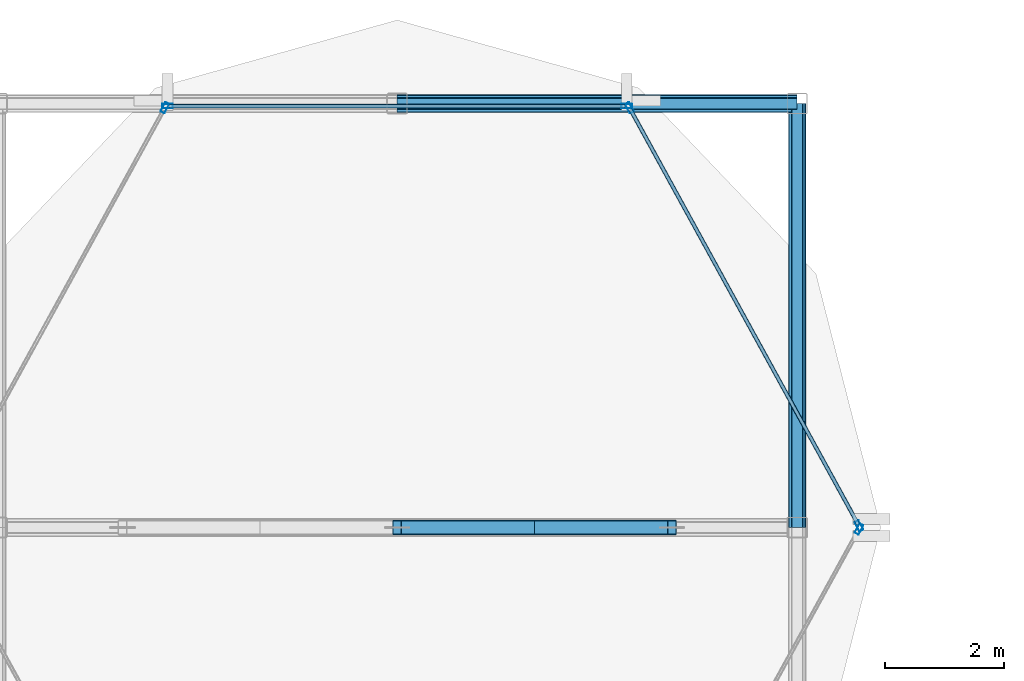
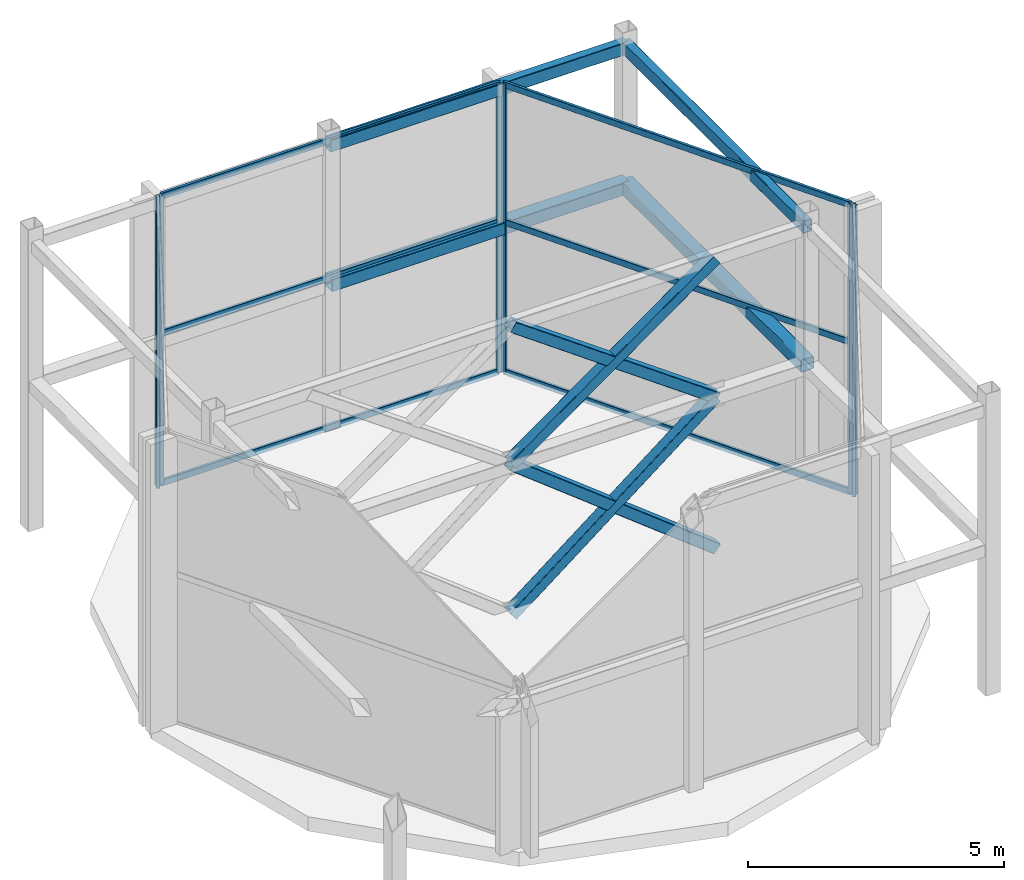
# One storey, part 5 of 8: 16 members, 4 beams, 4 elements without a shape of their own.
"""IFC4 building model written with IfcOpenShell, lengths in metres."""

from ifc_helpers import new_model, si_unit, direction, frame, origin, origin_2d, place, context, subcontext, project, spatial, hollow_rectangle, extrude, material, layer, layer_set, material_profile, profile_set, type_object, element, aggregate, save


model = new_model("IFC4")

# Units and contexts
model_context = context("Model", 3, precision=1e-05, world=origin(), true_north=direction((0.0, 1.0)))
body_context = subcontext(model_context, "Body", "Model", "MODEL_VIEW")
ifc_project = project(units=[si_unit("LENGTHUNIT", "METRE"), si_unit("AREAUNIT", "SQUARE_METRE"), si_unit("VOLUMEUNIT", "CUBIC_METRE"), si_unit("PLANEANGLEUNIT", "RADIAN"), si_unit("MASSUNIT", "GRAM", prefix="KILO")], contexts=[model_context])

# Site, building, storey
site_placement = place(None, origin())
site = spatial("IfcSite", under=ifc_project, at=site_placement, CompositionType="ELEMENT")
building_placement = place(site_placement, origin())
building = spatial("IfcBuilding", under=site, at=building_placement, Name="Solvaryn Broadcast Tower", CompositionType="ELEMENT")
storey_placement = place(building_placement, frame((0.0, 0.0, 322.199951171875)))
storey = spatial("IfcBuildingStorey", under=building, at=storey_placement, Name="Roof East", CompositionType="ELEMENT", Elevation=322.199951171875)

# Beams
ifc_material_1 = material(Name="Steel ASTM A500 Grade C", Category="steel")
ifc_material_profile_1 = material_profile(ifc_material_1, hollow_rectangle(XDim=0.199951171875, YDim=0.300048828125, WallThickness=0.011962890625, InnerFilletRadius=0.011962890625, OuterFilletRadius=0.02392578125, at=origin_2d()))
ifc_profile_set_1 = profile_set([ifc_material_profile_1], Name="Steel ASTM A500 Grade C")
beam_type_1 = type_object("IfcBeamType", Name="BM-CROWN-CAP", PredefinedType="BEAM", material=ifc_profile_set_1)
beam_1_placement = place(storey_placement, frame((24.60009765625, 35.300048828125, 6.75), z_axis=(0.0, 1.0, 0.0), x_axis=(-1.0, 0.0, 0.0)))
element("IfcBeam", 1, at=beam_1_placement, inside=storey, type_object=beam_type_1, Name="Roof East CROWN FRAME Ring Beam WT2-4", PredefinedType="BEAM", context=body_context, shape_type="SweptSolid", body=[
    extrude(hollow_rectangle(XDim=0.199951171875, YDim=0.300048828125, WallThickness=0.011962890625, InnerFilletRadius=0.011962890625, OuterFilletRadius=0.02392578125, at=origin_2d()), origin(), (0.0, 0.0, 1.0), 7.099853515625),
])
beam_2_placement = place(storey_placement, frame((24.60009765625, 42.39990234375, 6.75), z_axis=(-1.0, 0.0, 0.0), x_axis=(0.0, -1.0, 0.0)))
element("IfcBeam", 2, at=beam_2_placement, inside=storey, type_object=beam_type_1, Name="Roof East CROWN FRAME Ring Beam WT2-5", PredefinedType="BEAM", context=body_context, shape_type="SweptSolid", body=[
    extrude(hollow_rectangle(XDim=0.199951171875, YDim=0.300048828125, WallThickness=0.011962890625, InnerFilletRadius=0.011962890625, OuterFilletRadius=0.02392578125, at=origin_2d()), origin(), (0.0, 0.0, 1.0), 6.7001953125),
])
ifc_material_2 = material(Name="Steel ASTM A500 Grade C", Category="steel")
ifc_material_profile_2 = material_profile(ifc_material_2, hollow_rectangle(XDim=0.300048828125, YDim=0.300048828125, WallThickness=0.01416015625, InnerFilletRadius=0.01416015625, OuterFilletRadius=0.0283203125, at=origin_2d()))
ifc_profile_set_2 = profile_set([ifc_material_profile_2], Name="Steel ASTM A500 Grade C")
beam_type_2 = type_object("IfcBeamType", Name="BM-CROWN-RING", PredefinedType="BEAM", material=ifc_profile_set_2)
beam_3_placement = place(storey_placement, frame((24.60009765625, 35.300048828125, 3.449951171875), z_axis=(0.0, 1.0, 0.0), x_axis=(-1.0, 0.0, 0.0)))
element("IfcBeam", 3, at=beam_3_placement, inside=storey, type_object=beam_type_2, Name="Roof East CROWN FRAME Ring Beam WT1-4", PredefinedType="BEAM", context=body_context, shape_type="SweptSolid", body=[
    extrude(hollow_rectangle(XDim=0.300048828125, YDim=0.300048828125, WallThickness=0.01416015625, InnerFilletRadius=0.01416015625, OuterFilletRadius=0.0283203125, at=origin_2d()), origin(), (0.0, 0.0, 1.0), 7.099853515625),
])
beam_4_placement = place(storey_placement, frame((24.60009765625, 42.39990234375, 3.449951171875), z_axis=(-1.0, 0.0, 0.0), x_axis=(0.0, -1.0, 0.0)))
element("IfcBeam", 4, at=beam_4_placement, inside=storey, type_object=beam_type_2, Name="Roof East CROWN FRAME Ring Beam WT1-5", PredefinedType="BEAM", context=body_context, shape_type="SweptSolid", body=[
    extrude(hollow_rectangle(XDim=0.300048828125, YDim=0.300048828125, WallThickness=0.01416015625, InnerFilletRadius=0.01416015625, OuterFilletRadius=0.0283203125, at=origin_2d()), origin(), (0.0, 0.0, 1.0), 6.7001953125),
])

# Curtain wall, members
ifc_material_3 = material(Name="Aluminium and Terracotta Unitised Curtain Wall", Category="masonry")
ifc_layer = layer(ifc_material_3, 0.2099609375)
ifc_layer_set = layer_set([ifc_layer], Name="CW-SYS6-CROWN")
curtain_wall_type = type_object("IfcCurtainWallType", Name="CW-SYS6-CROWN", PredefinedType="NOTDEFINED", material=ifc_layer_set)
curtain_wall_1_placement = place(storey_placement, origin())
curtain_wall_1 = element("IfcCurtainWall", 5, at=curtain_wall_1_placement, inside=storey, type_object=curtain_wall_type, Name="Roof East Split-Top Crown Curtain Wall W1", PredefinedType="NOTDEFINED")
ifc_material_4 = material(Name="Anodised Aluminium 6063-T6", Category="aluminium")
ifc_material_profile_3 = material_profile(ifc_material_4, hollow_rectangle(XDim=0.074951171875, YDim=0.179931640625, WallThickness=0.00390625, InnerFilletRadius=0.00390625, OuterFilletRadius=0.008056640625, at=origin_2d()))
ifc_profile_set_3 = profile_set([ifc_material_profile_3], Name="Anodised Aluminium 6063-T6")
member_type_1 = type_object("IfcMemberType", Name="CW-MUL-180", PredefinedType="MULLION", material=ifc_profile_set_3)
member_1_placement = place(storey_placement, frame((25.635498046875, 35.326416015625, 0.0), z_axis=(0.0, 0.0, 1.0), x_axis=(-0.876577523452, -0.481260683391, 0.0)))
member_1 = element("IfcMember", 6, at=member_1_placement, type_object=member_type_1, Name="CWS6 mullion 1", PredefinedType="MULLION", context=body_context, shape_type="SweptSolid", body=[
    extrude(hollow_rectangle(XDim=0.074951171875, YDim=0.179931640625, WallThickness=0.00390625, InnerFilletRadius=0.00390625, OuterFilletRadius=0.008056640625, at=origin_2d()), origin(), (0.0, 0.0, 1.0), 6.900146484375),
])
member_2_placement = place(storey_placement, frame((21.78955078125, 42.331787109375, 0.0), z_axis=(0.0, 0.0, 1.0), x_axis=(-0.876577523452, -0.481260683391, 0.0)))
member_2 = element("IfcMember", 7, at=member_2_placement, type_object=member_type_1, Name="CWS6 mullion 2", PredefinedType="MULLION", context=body_context, shape_type="SweptSolid", body=[
    extrude(hollow_rectangle(XDim=0.074951171875, YDim=0.179931640625, WallThickness=0.00390625, InnerFilletRadius=0.00390625, OuterFilletRadius=0.008056640625, at=origin_2d()), origin(), (0.0, 0.0, 1.0), 6.900146484375),
])

curtain_wall_2_placement = place(storey_placement, origin())
curtain_wall_2 = element("IfcCurtainWall", 8, at=curtain_wall_2_placement, inside=storey, type_object=curtain_wall_type, Name="Roof East Split-Top Crown Curtain Wall W2", PredefinedType="NOTDEFINED")
member_3_placement = place(storey_placement, frame((21.7451171875, 42.35791015625, 0.0), z_axis=(0.0, 0.0, 1.0), x_axis=(0.0, -1.0, 0.0)))
member_3 = element("IfcMember", 9, at=member_3_placement, type_object=member_type_1, Name="CWS6 mullion 1", PredefinedType="MULLION", context=body_context, shape_type="SweptSolid", body=[
    extrude(hollow_rectangle(XDim=0.074951171875, YDim=0.179931640625, WallThickness=0.00390625, InnerFilletRadius=0.00390625, OuterFilletRadius=0.008056640625, at=origin_2d()), origin(), (0.0, 0.0, 1.0), 6.900146484375),
])
member_4_placement = place(storey_placement, frame((14.054931640625, 42.35791015625, 0.0), z_axis=(0.0, 0.0, 1.0), x_axis=(0.0, -1.0, 0.0)))
member_4 = element("IfcMember", 10, at=member_4_placement, type_object=member_type_1, Name="CWS6 mullion 2", PredefinedType="MULLION", context=body_context, shape_type="SweptSolid", body=[
    extrude(hollow_rectangle(XDim=0.074951171875, YDim=0.179931640625, WallThickness=0.00390625, InnerFilletRadius=0.00390625, OuterFilletRadius=0.008056640625, at=origin_2d()), origin(), (0.0, 0.0, 1.0), 6.900146484375),
])

# Curtain wall, member
curtain_wall_3_placement = place(storey_placement, origin())
curtain_wall_3 = element("IfcCurtainWall", 11, at=curtain_wall_3_placement, inside=storey, type_object=curtain_wall_type, Name="Roof East Split-Top Crown Curtain Wall W3", PredefinedType="NOTDEFINED")
member_5_placement = place(storey_placement, frame((14.010498046875, 42.331787109375, 0.0), z_axis=(0.0, 0.0, 1.0), x_axis=(0.876577523452, -0.481260683391, 0.0)))
member_5 = element("IfcMember", 12, at=member_5_placement, type_object=member_type_1, Name="CWS6 mullion 1", PredefinedType="MULLION", context=body_context, shape_type="SweptSolid", body=[
    extrude(hollow_rectangle(XDim=0.074951171875, YDim=0.179931640625, WallThickness=0.00390625, InnerFilletRadius=0.00390625, OuterFilletRadius=0.008056640625, at=origin_2d()), origin(), (0.0, 0.0, 1.0), 6.900146484375),
])
aggregate(curtain_wall_3, [member_5])

curtain_wall_4_placement = place(storey_placement, origin())
curtain_wall_4 = element("IfcCurtainWall", 13, at=curtain_wall_4_placement, inside=storey, type_object=curtain_wall_type, Name="Roof East Split-Top Crown Curtain Wall W6", PredefinedType="NOTDEFINED")
member_6_placement = place(storey_placement, frame((25.635498046875, 35.273681640625, 0.0), z_axis=(0.0, 0.0, 1.0), x_axis=(-0.876577523452, 0.481260683391, 0.0)))
member_6 = element("IfcMember", 14, at=member_6_placement, type_object=member_type_1, Name="CWS6 mullion 2", PredefinedType="MULLION", context=body_context, shape_type="SweptSolid", body=[
    extrude(hollow_rectangle(XDim=0.074951171875, YDim=0.179931640625, WallThickness=0.00390625, InnerFilletRadius=0.00390625, OuterFilletRadius=0.008056640625, at=origin_2d()), origin(), (0.0, 0.0, 1.0), 6.900146484375),
])
aggregate(curtain_wall_4, [member_6])

# Member
ifc_material_5 = material(Name="Anodised Aluminium 6063-T6", Category="aluminium")
ifc_material_profile_4 = material_profile(ifc_material_5, hollow_rectangle(XDim=0.06494140625, YDim=0.14990234375, WallThickness=0.00390625, InnerFilletRadius=0.00390625, OuterFilletRadius=0.008056640625, at=origin_2d()))
ifc_profile_set_4 = profile_set([ifc_material_profile_4], Name="Anodised Aluminium 6063-T6")
member_type_2 = type_object("IfcMemberType", Name="CW-TRN-150", PredefinedType="USERDEFINED", material=ifc_profile_set_4)
member_7_placement = place(storey_placement, frame((25.62109375, 35.3525390625, 0.030029296875), z_axis=(-0.481246290978, 0.876585425056, 0.0), x_axis=(-0.876585425056, -0.481246290978, 0.0)))
member_7 = element("IfcMember", 15, at=member_7_placement, type_object=member_type_2, Name="CWS6 transom 1.1", ObjectType="TRANSOM", PredefinedType="USERDEFINED", context=body_context, shape_type="SweptSolid", body=[
    extrude(hollow_rectangle(XDim=0.06494140625, YDim=0.14990234375, WallThickness=0.00390625, InnerFilletRadius=0.00390625, OuterFilletRadius=0.008056640625, at=origin_2d()), origin(), (0.0, 0.0, 1.0), 7.931884765625),
])

member_8_placement = place(storey_placement, frame((25.62109375, 35.3525390625, 3.60009765625), z_axis=(-0.481246290978, 0.876585425056, 0.0), x_axis=(-0.876585425056, -0.481246290978, 0.0)))
member_8 = element("IfcMember", 16, at=member_8_placement, type_object=member_type_2, Name="CWS6 transom 1.2", ObjectType="TRANSOM", PredefinedType="USERDEFINED", context=body_context, shape_type="SweptSolid", body=[
    extrude(hollow_rectangle(XDim=0.06494140625, YDim=0.14990234375, WallThickness=0.00390625, InnerFilletRadius=0.00390625, OuterFilletRadius=0.008056640625, at=origin_2d()), origin(), (0.0, 0.0, 1.0), 7.931884765625),
])

member_9_placement = place(storey_placement, frame((25.62109375, 35.3525390625, 6.8701171875), z_axis=(-0.481246290978, 0.876585425056, 0.0), x_axis=(-0.876585425056, -0.481246290978, 0.0)))
member_9 = element("IfcMember", 17, at=member_9_placement, type_object=member_type_2, Name="CWS6 transom 1.3", ObjectType="TRANSOM", PredefinedType="USERDEFINED", context=body_context, shape_type="SweptSolid", body=[
    extrude(hollow_rectangle(XDim=0.06494140625, YDim=0.14990234375, WallThickness=0.00390625, InnerFilletRadius=0.00390625, OuterFilletRadius=0.008056640625, at=origin_2d()), origin(), (0.0, 0.0, 1.0), 7.931884765625),
])

aggregate(curtain_wall_1, [member_1, member_2, member_7, member_8, member_9])

member_10_placement = place(storey_placement, frame((21.715087890625, 42.35791015625, 0.030029296875), z_axis=(-1.0, 0.0, 0.0), x_axis=(0.0, -1.0, 0.0)))
member_10 = element("IfcMember", 18, at=member_10_placement, type_object=member_type_2, Name="CWS6 transom 1.1", ObjectType="TRANSOM", PredefinedType="USERDEFINED", context=body_context, shape_type="SweptSolid", body=[
    extrude(hollow_rectangle(XDim=0.06494140625, YDim=0.14990234375, WallThickness=0.00390625, InnerFilletRadius=0.00390625, OuterFilletRadius=0.008056640625, at=origin_2d()), origin(), (0.0, 0.0, 1.0), 7.630126953125),
])

member_11_placement = place(storey_placement, frame((21.715087890625, 42.35791015625, 3.60009765625), z_axis=(-1.0, 0.0, 0.0), x_axis=(0.0, -1.0, 0.0)))
member_11 = element("IfcMember", 19, at=member_11_placement, type_object=member_type_2, Name="CWS6 transom 1.2", ObjectType="TRANSOM", PredefinedType="USERDEFINED", context=body_context, shape_type="SweptSolid", body=[
    extrude(hollow_rectangle(XDim=0.06494140625, YDim=0.14990234375, WallThickness=0.00390625, InnerFilletRadius=0.00390625, OuterFilletRadius=0.008056640625, at=origin_2d()), origin(), (0.0, 0.0, 1.0), 7.630126953125),
])

member_12_placement = place(storey_placement, frame((21.715087890625, 42.35791015625, 6.8701171875), z_axis=(-1.0, 0.0, 0.0), x_axis=(0.0, -1.0, 0.0)))
member_12 = element("IfcMember", 20, at=member_12_placement, type_object=member_type_2, Name="CWS6 transom 1.3", ObjectType="TRANSOM", PredefinedType="USERDEFINED", context=body_context, shape_type="SweptSolid", body=[
    extrude(hollow_rectangle(XDim=0.06494140625, YDim=0.14990234375, WallThickness=0.00390625, InnerFilletRadius=0.00390625, OuterFilletRadius=0.008056640625, at=origin_2d()), origin(), (0.0, 0.0, 1.0), 7.630126953125),
])

aggregate(curtain_wall_2, [member_3, member_4, member_10, member_11, member_12])

# Members
ifc_material_6 = material(Name="Steel ASTM A500 Grade C", Category="steel")
ifc_material_profile_5 = material_profile(ifc_material_6, hollow_rectangle(XDim=0.25, YDim=0.25, WallThickness=0.011962890625, InnerFilletRadius=0.011962890625, OuterFilletRadius=0.02392578125, at=origin_2d()))
ifc_profile_set_5 = profile_set([ifc_material_profile_5], Name="Steel ASTM A500 Grade C")
member_type_3 = type_object("IfcMemberType", Name="MB-CROWN-BRACE", PredefinedType="BRACE", material=ifc_profile_set_5)
for number, where, z_axis, x_axis, name in (
    (21, (22.5, 35.300048828125, -0.14990234375), (-0.787523522286, 0.0, 0.616284594847), (0.0, -1.0, 0.0), "Roof East CROWN FRAME Brace WT1-2"),
    (22, (17.89990234375, 35.300048828125, -0.14990234375), (0.787523522286, 0.0, 0.616284594847), (0.0, 1.0, 0.0), "Roof East CROWN FRAME Brace WT1-4"),
):
    element("IfcMember", number, at=place(storey_placement, frame(where, z_axis=z_axis, x_axis=x_axis)), inside=storey, type_object=member_type_3, Name=name, PredefinedType="BRACE", context=body_context, shape_type="SweptSolid", body=[
        extrude(hollow_rectangle(XDim=0.25, YDim=0.25, WallThickness=0.011962890625, InnerFilletRadius=0.011962890625, OuterFilletRadius=0.02392578125, at=origin_2d()), origin(), (0.0, 0.0, 1.0), 5.84130859375),
    ])
for number, where, z_axis, x_axis, name in (
    (23, (22.5, 35.300048828125, 3.449951171875), (-0.812540026711, 0.0, 0.582905399695), (0.0, -1.0, 0.0), "Roof East CROWN FRAME Brace WT2-2"),
    (24, (17.89990234375, 35.300048828125, 3.449951171875), (0.812540026711, 0.0, 0.582905399695), (0.0, 1.0, 0.0), "Roof East CROWN FRAME Brace WT2-4"),
):
    element("IfcMember", number, at=place(storey_placement, frame(where, z_axis=z_axis, x_axis=x_axis)), inside=storey, type_object=member_type_3, Name=name, PredefinedType="BRACE", context=body_context, shape_type="SweptSolid", body=[
        extrude(hollow_rectangle(XDim=0.25, YDim=0.25, WallThickness=0.011962890625, InnerFilletRadius=0.011962890625, OuterFilletRadius=0.02392578125, at=origin_2d()), origin(), (0.0, 0.0, 1.0), 5.661376953125),
    ])

save(model, "model.ifc")
